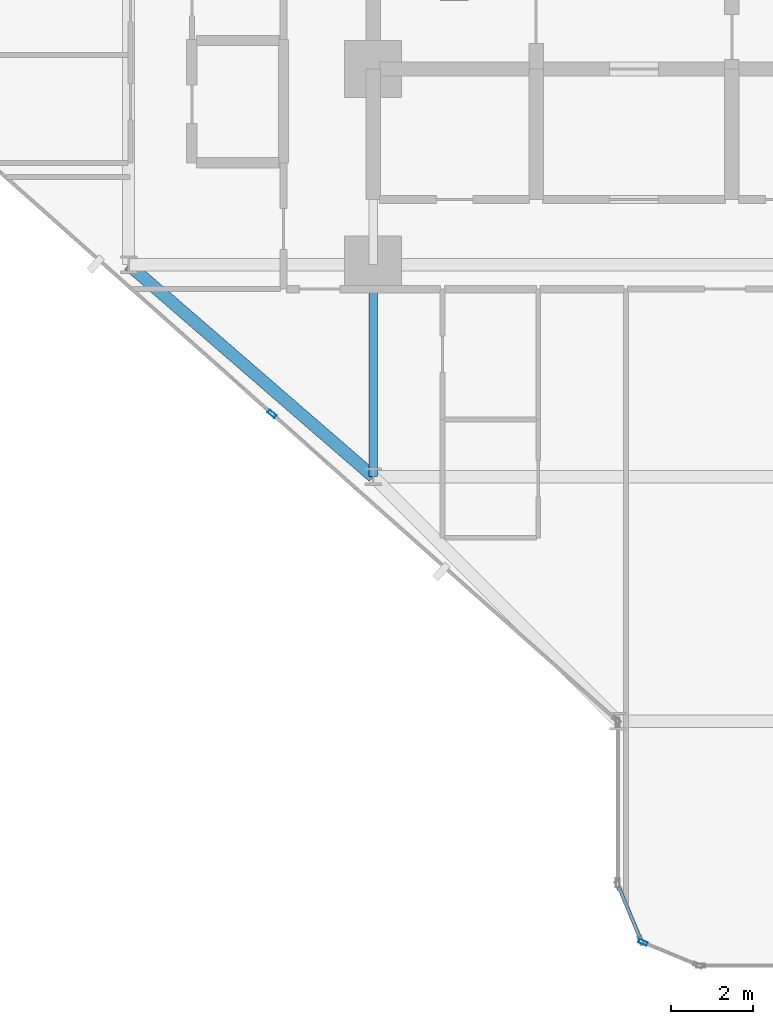
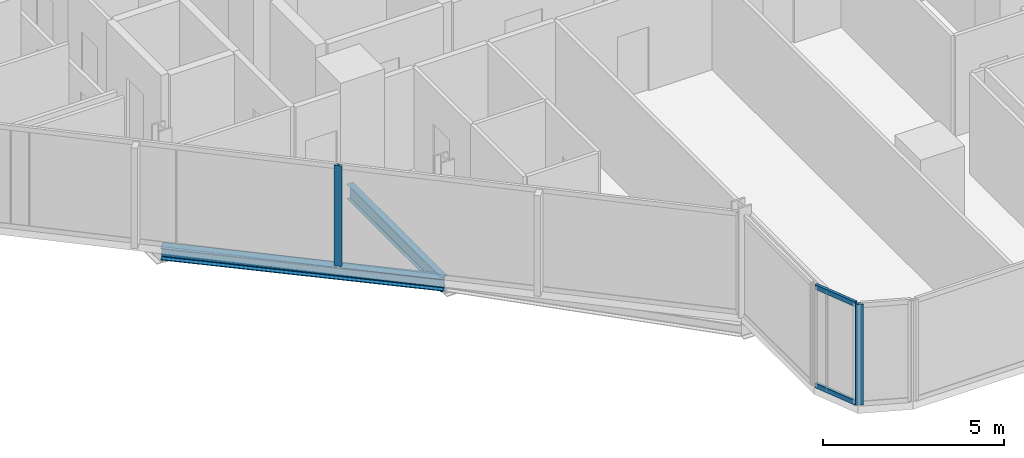
# One storey, part 2 of 34: 4 members, 2 beams, 3 elements without a shape of their own.
"""IFC4 building model written with IfcOpenShell, lengths in metres."""

from ifc_helpers import new_model, si_unit, direction, frame, origin, origin_2d, place, context, subcontext, project, spatial, hollow_rectangle, i_section, extrude, material, layer, layer_set, material_profile, profile_set, type_object, element, aggregate, save


model = new_model("IFC4")

# Units and contexts
model_context = context("Model", 3, precision=1e-05, world=origin(), true_north=direction((0.0, 1.0)))
body_context = subcontext(model_context, "Body", "Model", "MODEL_VIEW")
ifc_project = project(units=[si_unit("LENGTHUNIT", "METRE"), si_unit("AREAUNIT", "SQUARE_METRE"), si_unit("VOLUMEUNIT", "CUBIC_METRE"), si_unit("PLANEANGLEUNIT", "RADIAN"), si_unit("MASSUNIT", "GRAM", prefix="KILO")], contexts=[model_context])

# Site, building, storey
site_placement = place(None, origin())
site = spatial("IfcSite", under=ifc_project, at=site_placement, CompositionType="ELEMENT")
building_placement = place(site_placement, origin())
building = spatial("IfcBuilding", under=site, at=building_placement, Name="Keshet Zoharim Tower", CompositionType="ELEMENT")
storey_placement = place(building_placement, frame((0.0, 0.0, 38.800048828125)))
storey = spatial("IfcBuildingStorey", under=building, at=storey_placement, Name="L08", CompositionType="ELEMENT", Elevation=38.800048828125)

# Beams
ifc_material_1 = material(Name="Steel S355", Category="steel")
ifc_material_profile_1 = material_profile(ifc_material_1, i_section(OverallWidth=0.199951171875, OverallDepth=0.5, WebThickness=0.01025390625, FlangeThickness=0.01611328125, FilletRadius=0.02099609375, at=origin_2d()), Name="IPE500")
ifc_profile_set_1 = profile_set([ifc_material_profile_1], Name="Steel S355")
beam_type_1 = type_object("IfcBeamType", Name="BM-PRI-IP500", PredefinedType="BEAM", material=ifc_profile_set_1)
beam_1_placement = place(storey_placement, frame((15.0, 12.699951171875, -0.56494140625), z_axis=(0.0, 1.0, 0.0), x_axis=(-1.0, 0.0, 0.0)))
element("IfcBeam", 1, at=beam_1_placement, inside=storey, type_object=beam_type_1, Name="L08 Primary Girder Y-002", PredefinedType="BEAM", context=body_context, shape_type="SweptSolid", body=[
    extrude(i_section(OverallWidth=0.199951171875, OverallDepth=0.5, WebThickness=0.01025390625, FlangeThickness=0.01611328125, FilletRadius=0.02099609375, at=origin_2d()), origin(), (0.0, 0.0, 1.0), 5.199951171875),
])
ifc_material_profile_2 = material_profile(ifc_material_1, i_section(OverallWidth=0.300048828125, OverallDepth=0.39990234375, WebThickness=0.013427734375, FlangeThickness=0.02392578125, FilletRadius=0.027099609375, at=origin_2d()), Name="HEB400")
ifc_profile_set_2 = profile_set([ifc_material_profile_2], Name="Steel S355")
beam_type_2 = type_object("IfcBeamType", Name="BM-SPN-HB400", PredefinedType="SPANDREL", material=ifc_profile_set_2)
beam_2_placement = place(storey_placement, frame((9.0, 17.89990234375, -0.51513671875), z_axis=(0.755692126483, -0.654927026447, 0.0), x_axis=(0.654927026447, 0.755692126483, 0.0)))
element("IfcBeam", 2, at=beam_2_placement, inside=storey, type_object=beam_type_2, Name="L08 Perimeter Spandrel Beam 02", PredefinedType="SPANDREL", context=body_context, shape_type="SweptSolid", body=[
    extrude(i_section(OverallWidth=0.300048828125, OverallDepth=0.39990234375, WebThickness=0.013427734375, FlangeThickness=0.02392578125, FilletRadius=0.027099609375, at=origin_2d()), origin(), (0.0, 0.0, 1.0), 7.939697265625),
])

# Curtain wall, member
ifc_material_2 = material(Name="Aluminium 6063-T6", Category="aluminium")
ifc_layer = layer(ifc_material_2, 0.179931640625)
ifc_layer_set = layer_set([ifc_layer], Name="Aluminium 6063-T6")
curtain_wall_type = type_object("IfcCurtainWallType", Name="CW-SYS-01", PredefinedType="NOTDEFINED", material=ifc_layer_set)
curtain_wall_1_placement = place(storey_placement, origin())
curtain_wall_1 = element("IfcCurtainWall", 3, at=curtain_wall_1_placement, inside=storey, type_object=curtain_wall_type, Name="L08 Unitised Curtain Wall 01", PredefinedType="NOTDEFINED")
ifc_material_profile_3 = material_profile(ifc_material_2, hollow_rectangle(XDim=0.090087890625, YDim=0.219970703125, WallThickness=0.0048828125, at=origin_2d()), Name="MUL-90x220")
ifc_profile_set_3 = profile_set([ifc_material_profile_3], Name="Aluminium 6063-T6")
member_type_1 = type_object("IfcMemberType", Name="CWM-M22", PredefinedType="MULLION", material=ifc_profile_set_3)
member_1_placement = place(storey_placement, frame((12.517578125, 14.239990234375, 0.0), z_axis=(0.0, 0.0, 1.0), x_axis=(-0.664363838836, -0.747409318679, 0.0)))
member_1 = element("IfcMember", 4, at=member_1_placement, type_object=member_type_1, Name="CW-01 mullion 2", PredefinedType="MULLION", context=body_context, shape_type="SweptSolid", body=[
    extrude(hollow_rectangle(XDim=0.090087890625, YDim=0.219970703125, WallThickness=0.0048828125, at=origin_2d()), origin(), (0.0, 0.0, 1.0), 3.385009765625),
])
aggregate(curtain_wall_1, [member_1])

curtain_wall_2_placement = place(storey_placement, origin())
curtain_wall_2 = element("IfcCurtainWall", 5, at=curtain_wall_2_placement, inside=storey, type_object=curtain_wall_type, Name="L08 Unitised Curtain Wall 27", PredefinedType="NOTDEFINED")
member_2_placement = place(storey_placement, frame((21.618408203125, 1.272705078125, 0.0), z_axis=(0.0, 0.0, 1.0), x_axis=(-0.382851849847, -0.92380975372, 0.0)))
member_2 = element("IfcMember", 6, at=member_2_placement, type_object=member_type_1, Name="CW-01 mullion 2", PredefinedType="MULLION", context=body_context, shape_type="SweptSolid", body=[
    extrude(hollow_rectangle(XDim=0.090087890625, YDim=0.219970703125, WallThickness=0.0048828125, at=origin_2d()), origin(), (0.0, 0.0, 1.0), 3.385009765625),
])
aggregate(curtain_wall_2, [member_2])

# Curtain wall, members
curtain_wall_3_placement = place(storey_placement, origin())
curtain_wall_3 = element("IfcCurtainWall", 7, at=curtain_wall_3_placement, inside=storey, type_object=curtain_wall_type, Name="L08 Unitised Curtain Wall 28", PredefinedType="NOTDEFINED")
ifc_material_profile_4 = material_profile(ifc_material_2, hollow_rectangle(XDim=0.0849609375, YDim=0.159912109375, WallThickness=0.00439453125, at=origin_2d()), Name="TRN-85x160")
ifc_profile_set_4 = profile_set([ifc_material_profile_4], Name="Aluminium 6063-T6")
member_type_2 = type_object("IfcMemberType", Name="CWT-T16", PredefinedType="USERDEFINED", material=ifc_profile_set_4)
member_3_placement = place(storey_placement, frame((21.55908203125, 1.3505859375, 0.034912109375), z_axis=(-0.382744609247, 0.923854189844, 0.0), x_axis=(-0.923854189844, -0.382744609247, 0.0)))
member_3 = element("IfcMember", 8, at=member_3_placement, type_object=member_type_2, Name="CW-01 transom 1.1", ObjectType="TRANSOM", PredefinedType="USERDEFINED", context=body_context, shape_type="SweptSolid", body=[
    extrude(hollow_rectangle(XDim=0.0849609375, YDim=0.159912109375, WallThickness=0.00439453125, at=origin_2d()), origin(), (0.0, 0.0, 1.0), 1.390625),
])
member_4_placement = place(storey_placement, frame((21.55908203125, 1.3505859375, 3.349853515625), z_axis=(-0.382744609247, 0.923854189844, 0.0), x_axis=(-0.923854189844, -0.382744609247, 0.0)))
member_4 = element("IfcMember", 9, at=member_4_placement, type_object=member_type_2, Name="CW-01 transom 1.2", ObjectType="TRANSOM", PredefinedType="USERDEFINED", context=body_context, shape_type="SweptSolid", body=[
    extrude(hollow_rectangle(XDim=0.0849609375, YDim=0.159912109375, WallThickness=0.00439453125, at=origin_2d()), origin(), (0.0, 0.0, 1.0), 1.390625),
])
aggregate(curtain_wall_3, [member_3, member_4])

save(model, "model.ifc")
